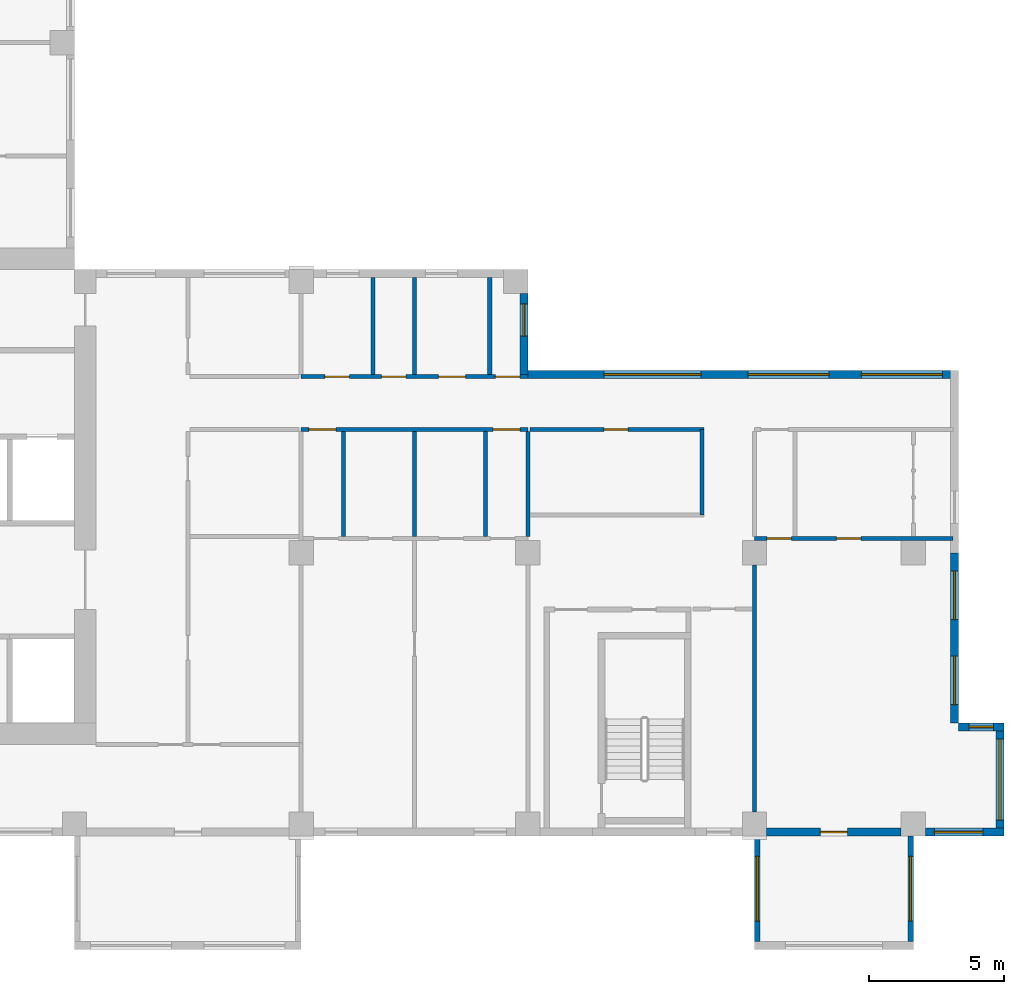
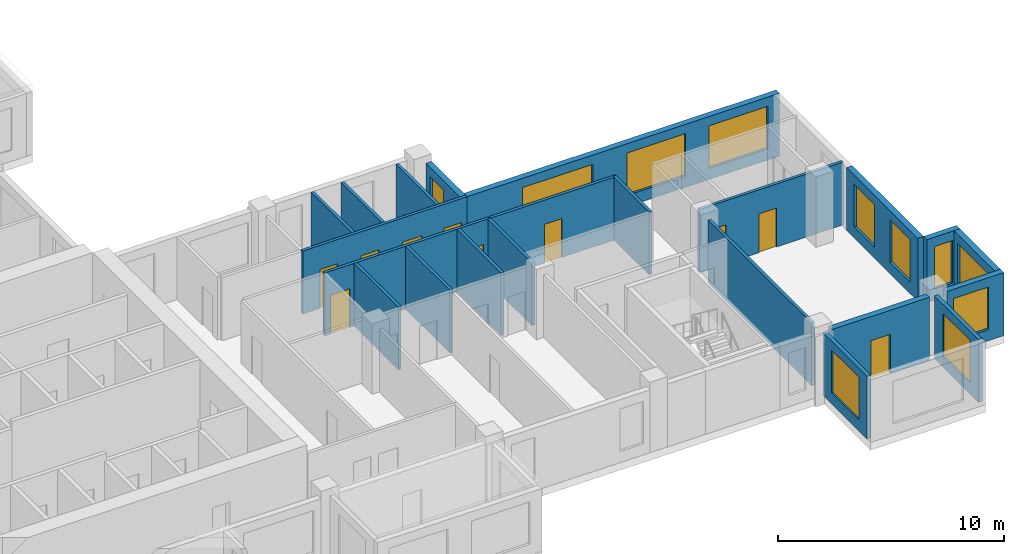
# One storey, part 5 of 12: 22 walls, 11 windows, 10 doors, 21 openings.
"""IFC4 building model written with IfcOpenShell, lengths in metres."""

from ifc_helpers import new_model, si_unit, direction, frame, frame_2d, origin, place, context, subcontext, project, spatial, rectangle, extrude, source, transform, mapped, material, layer, layer_set, type_object, element, fill, save


model = new_model("IFC4")

# Units and contexts
model_context = context("Model", 3, precision=1e-05, world=origin(), true_north=direction((0.0, 1.0)))
body_context = subcontext(model_context, "Body", "Model", "MODEL_VIEW")
ifc_project = project(units=[si_unit("LENGTHUNIT", "METRE"), si_unit("AREAUNIT", "SQUARE_METRE"), si_unit("VOLUMEUNIT", "CUBIC_METRE"), si_unit("PLANEANGLEUNIT", "RADIAN"), si_unit("MASSUNIT", "GRAM", prefix="KILO")], contexts=[model_context])

# Site, building, storey
site_placement = place(None, origin())
site = spatial("IfcSite", under=ifc_project, at=site_placement, CompositionType="ELEMENT")
building_placement = place(site_placement, origin())
building = spatial("IfcBuilding", under=site, at=building_placement, Name="Aurelian Terraces", CompositionType="ELEMENT")
storey_placement = place(building_placement, frame((0.0, 0.0, 223.4)))
storey = spatial("IfcBuildingStorey", under=building, at=storey_placement, Name="L50", CompositionType="ELEMENT", Elevation=223.4)

# Wall, opening, window
ifc_material_1 = material(Name="Terracotta rainscreen cladding", Category="masonry")
ifc_layer_1 = layer(ifc_material_1, 0.3)
ifc_layer_set_1 = layer_set([ifc_layer_1], Name="EW-300")
wall_type_1 = type_object("IfcWallType", Name="EW-300", PredefinedType="STANDARD", material=ifc_layer_set_1)
shared_shape_1 = source(origin(), body_context, "Body", "SweptSolid", [
    extrude(rectangle(XDim=2.91, YDim=0.3, at=frame_2d((1.455, 0.0))), origin(), (0.0, 0.0, 1.0), 3.4),
])
wall_1_placement = place(storey_placement, frame((52.53, 0.15, 0.0), z_axis=(0.0, 0.0, 1.0), x_axis=(1.0, 0.0, 0.0)))
wall_1 = element("IfcWall", 1, at=wall_1_placement, inside=storey, type_object=wall_type_1, Name="External wall L50 F01.8", PredefinedType="STANDARD", context=body_context, shape_type="MappedRepresentation", body=[
    mapped(shared_shape_1, transform((0.0, 0.0, 0.0), scale=1.0)),
])
shared_shape_2 = source(origin(), body_context, "Body", "SweptSolid", [
    extrude(rectangle(XDim=1.8, YDim=2.3, at=frame_2d((0.9, 1.15))), frame((0.0, 0.16, 0.0), z_axis=(0.0, -1.0, 0.0), x_axis=(1.0, 0.0, 0.0)), (0.0, 0.0, 1.0), 0.32),
])
opening_1_placement = place(wall_1_placement, frame((0.33, 0.0, 0.6)))
opening_1 = element("IfcOpeningElement", 2, at=opening_1_placement, cuts=wall_1, Name="Opening W1823", PredefinedType="OPENING", context=body_context, shape_type="MappedRepresentation", body=[
    mapped(shared_shape_2, transform((0.0, 0.0, 0.0), scale=1.0)),
])
ifc_material_2 = material(Name="Clear glazing", Category="glass")
window_type_1 = type_object("IfcWindowType", Name="W-1800x2300", PartitioningType="SINGLE_PANEL", PredefinedType="WINDOW", material=ifc_material_2)
shared_shape_3 = source(origin(), body_context, "Body", "SweptSolid", [
    extrude(rectangle(XDim=1.8, YDim=2.3, at=frame_2d((0.9, 1.15))), frame((0.0, 0.03, 0.0), z_axis=(0.0, -1.0, 0.0), x_axis=(1.0, 0.0, 0.0)), (0.0, 0.0, 1.0), 0.06),
])
window_1_placement = place(opening_1_placement, origin())
window_1 = element("IfcWindow", 3, at=window_1_placement, inside=storey, type_object=window_type_1, Name="Window L50 L50-F01-08-0", OverallHeight=2.3, OverallWidth=1.8, PartitioningType="SINGLE_PANEL", PredefinedType="WINDOW", context=body_context, shape_type="MappedRepresentation", body=[
    mapped(shared_shape_3, transform((0.0, 0.0, 0.0), scale=1.0)),
])
fill(opening_1, window_1)

shared_shape_4 = source(origin(), body_context, "Body", "SweptSolid", [
    extrude(rectangle(XDim=4.2, YDim=0.3, at=frame_2d((2.1, 0.0))), origin(), (0.0, 0.0, 1.0), 3.4),
])
wall_2_placement = place(storey_placement, frame((55.29, 0.0, 0.0), z_axis=(0.0, 0.0, 1.0), x_axis=(0.0, 1.0, 0.0)))
wall_2 = element("IfcWall", 4, at=wall_2_placement, inside=storey, type_object=wall_type_1, Name="External wall L50 F02.9", PredefinedType="STANDARD", context=body_context, shape_type="MappedRepresentation", body=[
    mapped(shared_shape_4, transform((0.0, 0.0, 0.0), scale=1.0)),
])
shared_shape_5 = source(origin(), body_context, "Body", "SweptSolid", [
    extrude(rectangle(XDim=3.0, YDim=2.3, at=frame_2d((1.5, 1.15))), frame((0.0, 0.16, 0.0), z_axis=(0.0, -1.0, 0.0), x_axis=(1.0, 0.0, 0.0)), (0.0, 0.0, 1.0), 0.32),
])
opening_2_placement = place(wall_2_placement, frame((0.6, 0.0, 0.6)))
opening_2 = element("IfcOpeningElement", 5, at=opening_2_placement, cuts=wall_2, Name="Opening W3023", PredefinedType="OPENING", context=body_context, shape_type="MappedRepresentation", body=[
    mapped(shared_shape_5, transform((0.0, 0.0, 0.0), scale=1.0)),
])
window_type_2 = type_object("IfcWindowType", Name="W-3000x2300", PartitioningType="SINGLE_PANEL", PredefinedType="WINDOW", material=ifc_material_2)
shared_shape_6 = source(origin(), body_context, "Body", "SweptSolid", [
    extrude(rectangle(XDim=3.0, YDim=2.3, at=frame_2d((1.5, 1.15))), frame((0.0, 0.03, 0.0), z_axis=(0.0, -1.0, 0.0), x_axis=(1.0, 0.0, 0.0)), (0.0, 0.0, 1.0), 0.06),
])
window_2_placement = place(opening_2_placement, origin())
window_2 = element("IfcWindow", 6, at=window_2_placement, inside=storey, type_object=window_type_2, Name="Window L50 L50-F02-09-0", OverallHeight=2.3, OverallWidth=3.0, PartitioningType="SINGLE_PANEL", PredefinedType="WINDOW", context=body_context, shape_type="MappedRepresentation", body=[
    mapped(shared_shape_6, transform((0.0, 0.0, 0.0), scale=1.0)),
])
fill(opening_2, window_2)

shared_shape_7 = source(origin(), body_context, "Body", "SweptSolid", [
    extrude(rectangle(XDim=1.68, YDim=0.3, at=frame_2d((0.84, 0.0))), origin(), (0.0, 0.0, 1.0), 3.4),
])
wall_3_placement = place(storey_placement, frame((55.44, 4.05, 0.0), z_axis=(0.0, 0.0, 1.0), x_axis=(-1.0, 0.0, 0.0)))
wall_3 = element("IfcWall", 7, at=wall_3_placement, inside=storey, type_object=wall_type_1, Name="External wall L50 F03.10", PredefinedType="STANDARD", context=body_context, shape_type="MappedRepresentation", body=[
    mapped(shared_shape_7, transform((0.0, 0.0, 0.0), scale=1.0)),
])
shared_shape_8 = source(origin(), body_context, "Body", "SweptSolid", [
    extrude(rectangle(XDim=0.9, YDim=2.3, at=frame_2d((0.45, 1.15))), frame((0.0, 0.16, 0.0), z_axis=(0.0, -1.0, 0.0), x_axis=(1.0, 0.0, 0.0)), (0.0, 0.0, 1.0), 0.32),
])
opening_3_placement = place(wall_3_placement, frame((0.39, 0.0, 0.6)))
opening_3 = element("IfcOpeningElement", 8, at=opening_3_placement, cuts=wall_3, Name="Opening W0923", PredefinedType="OPENING", context=body_context, shape_type="MappedRepresentation", body=[
    mapped(shared_shape_8, transform((0.0, 0.0, 0.0), scale=1.0)),
])
window_type_3 = type_object("IfcWindowType", Name="W-900x2300", PartitioningType="SINGLE_PANEL", PredefinedType="WINDOW", material=ifc_material_2)
shared_shape_9 = source(origin(), body_context, "Body", "SweptSolid", [
    extrude(rectangle(XDim=0.9, YDim=2.3, at=frame_2d((0.45, 1.15))), frame((0.0, 0.03, 0.0), z_axis=(0.0, -1.0, 0.0), x_axis=(1.0, 0.0, 0.0)), (0.0, 0.0, 1.0), 0.06),
])
window_3_placement = place(opening_3_placement, origin())
window_3 = element("IfcWindow", 9, at=window_3_placement, inside=storey, type_object=window_type_3, Name="Window L50 L50-F03-10-P0", OverallHeight=2.3, OverallWidth=0.9, PartitioningType="SINGLE_PANEL", PredefinedType="WINDOW", context=body_context, shape_type="MappedRepresentation", body=[
    mapped(shared_shape_9, transform((0.0, 0.0, 0.0), scale=1.0)),
])
fill(opening_3, window_3)

ifc_material_3 = material(Name="Concrete fc' 40 MPa", Category="concrete")
ifc_layer_2 = layer(ifc_material_3, 0.2)
ifc_layer_set_2 = layer_set([ifc_layer_2], Name="BOX BEARING WALL 200")
wall_type_2 = type_object("IfcWallType", Name="BOX BEARING WALL 200", PredefinedType="SOLIDWALL", material=ifc_layer_set_2)
shared_shape_10 = source(origin(), body_context, "Body", "SweptSolid", [
    extrude(rectangle(XDim=3.9, YDim=0.2, at=frame_2d((1.95, 0.0))), origin(), (0.0, 0.0, 1.0), 3.39),
])
wall_4_placement = place(storey_placement, frame((46.3, 0.0, 0.0), z_axis=(0.0, 0.0, 1.0), x_axis=(0.0, -1.0, 0.0)))
wall_4 = element("IfcWall", 10, at=wall_4_placement, inside=storey, type_object=wall_type_2, Name="Box return L50 J74.1", PredefinedType="SOLIDWALL", context=body_context, shape_type="MappedRepresentation", body=[
    mapped(shared_shape_10, transform((0.0, 0.0, 0.0), scale=1.0)),
])
shared_shape_11 = source(origin(), body_context, "Body", "SweptSolid", [
    extrude(rectangle(XDim=2.4, YDim=2.3, at=frame_2d((1.2, 1.15))), frame((0.0, 0.11, 0.0), z_axis=(0.0, -1.0, 0.0), x_axis=(1.0, 0.0, 0.0)), (0.0, 0.0, 1.0), 0.22),
])
opening_4_placement = place(wall_4_placement, frame((0.75, 0.0, 0.6)))
opening_4 = element("IfcOpeningElement", 11, at=opening_4_placement, cuts=wall_4, Name="Opening W2423", PredefinedType="OPENING", context=body_context, shape_type="MappedRepresentation", body=[
    mapped(shared_shape_11, transform((0.0, 0.0, 0.0), scale=1.0)),
])
window_type_4 = type_object("IfcWindowType", Name="W-2400x2300", PartitioningType="SINGLE_PANEL", PredefinedType="WINDOW", material=ifc_material_2)
shared_shape_12 = source(origin(), body_context, "Body", "SweptSolid", [
    extrude(rectangle(XDim=2.4, YDim=2.3, at=frame_2d((1.2, 1.15))), frame((0.0, 0.03, 0.0), z_axis=(0.0, -1.0, 0.0), x_axis=(1.0, 0.0, 0.0)), (0.0, 0.0, 1.0), 0.06),
])
window_4_placement = place(opening_4_placement, origin())
window_4 = element("IfcWindow", 12, at=window_4_placement, inside=storey, type_object=window_type_4, Name="Window L50 J74-S1", OverallHeight=2.3, OverallWidth=2.4, PartitioningType="SINGLE_PANEL", PredefinedType="WINDOW", context=body_context, shape_type="MappedRepresentation", body=[
    mapped(shared_shape_12, transform((0.0, 0.0, 0.0), scale=1.0)),
])
fill(opening_4, window_4)

wall_5_placement = place(storey_placement, frame((51.98, 0.0, 0.0), z_axis=(0.0, 0.0, 1.0), x_axis=(0.0, -1.0, 0.0)))
wall_5 = element("IfcWall", 13, at=wall_5_placement, inside=storey, type_object=wall_type_2, Name="Box return L50 J74.2", PredefinedType="SOLIDWALL", context=body_context, shape_type="MappedRepresentation", body=[
    mapped(shared_shape_10, transform((0.0, 0.0, 0.0), scale=1.0)),
])
opening_5_placement = place(wall_5_placement, frame((0.75, 0.0, 0.6)))
opening_5 = element("IfcOpeningElement", 14, at=opening_5_placement, cuts=wall_5, Name="Opening W2423", PredefinedType="OPENING", context=body_context, shape_type="MappedRepresentation", body=[
    mapped(shared_shape_11, transform((0.0, 0.0, 0.0), scale=1.0)),
])
window_5_placement = place(opening_5_placement, origin())
window_5 = element("IfcWindow", 15, at=window_5_placement, inside=storey, type_object=window_type_4, Name="Window L50 J74-S2", OverallHeight=2.3, OverallWidth=2.4, PartitioningType="SINGLE_PANEL", PredefinedType="WINDOW", context=body_context, shape_type="MappedRepresentation", body=[
    mapped(shared_shape_12, transform((0.0, 0.0, 0.0), scale=1.0)),
])
fill(opening_5, window_5)

# Wall, opening, door
shared_shape_13 = source(origin(), body_context, "Body", "SweptSolid", [
    extrude(rectangle(XDim=4.98, YDim=0.3, at=frame_2d((2.49, 0.0))), origin(), (0.0, 0.0, 1.0), 3.4),
])
wall_6_placement = place(storey_placement, frame((46.65, 0.15, 0.0), z_axis=(0.0, 0.0, 1.0), x_axis=(1.0, 0.0, 0.0)))
wall_6 = element("IfcWall", 16, at=wall_6_placement, inside=storey, type_object=wall_type_1, Name="External wall L50 F01.7", PredefinedType="STANDARD", context=body_context, shape_type="MappedRepresentation", body=[
    mapped(shared_shape_13, transform((0.0, 0.0, 0.0), scale=1.0)),
])
shared_shape_14 = source(origin(), body_context, "Body", "SweptSolid", [
    extrude(rectangle(XDim=1.0, YDim=2.1, at=frame_2d((0.5, 1.05))), frame((0.0, 0.16, 0.0), z_axis=(0.0, -1.0, 0.0), x_axis=(1.0, 0.0, 0.0)), (0.0, 0.0, 1.0), 0.32),
])
opening_6_placement = place(wall_6_placement, frame((1.99, 0.0, 0.0)))
opening_6 = element("IfcOpeningElement", 17, at=opening_6_placement, cuts=wall_6, Name="Opening 850005", PredefinedType="OPENING", context=body_context, shape_type="MappedRepresentation", body=[
    mapped(shared_shape_14, transform((0.0, 0.0, 0.0), scale=1.0)),
])
ifc_material_4 = material(Name="Timber door leaf", Category="wood")
door_type_1 = type_object("IfcDoorType", Name="Room door 1000x2100 left", OperationType="SINGLE_SWING_LEFT", PredefinedType="DOOR", material=ifc_material_4)
shared_shape_15 = source(origin(), body_context, "Body", "SweptSolid", [
    extrude(rectangle(XDim=1.0, YDim=2.1, at=frame_2d((0.5, 1.05))), frame((0.0, 0.025, 0.0), z_axis=(0.0, -1.0, 0.0), x_axis=(1.0, 0.0, 0.0)), (0.0, 0.0, 1.0), 0.05),
])
door_1_placement = place(opening_6_placement, origin())
door_1 = element("IfcDoor", 18, at=door_1_placement, inside=storey, type_object=door_type_1, Name="Door 850005", OperationType="SINGLE_SWING_LEFT", OverallHeight=2.1, OverallWidth=1.0, PredefinedType="DOOR", context=body_context, shape_type="MappedRepresentation", body=[
    mapped(shared_shape_15, transform((0.0, 0.0, 0.0), scale=1.0)),
])
fill(opening_6, door_1)

# Wall, openings, windows
shared_shape_16 = source(origin(), body_context, "Body", "SweptSolid", [
    extrude(rectangle(XDim=6.3, YDim=0.3, at=frame_2d((3.15, 0.0))), origin(), (0.0, 0.0, 1.0), 3.4),
])
wall_7_placement = place(storey_placement, frame((53.61, 4.2, 0.0), z_axis=(0.0, 0.0, 1.0), x_axis=(0.0, 1.0, 0.0)))
wall_7 = element("IfcWall", 19, at=wall_7_placement, inside=storey, type_object=wall_type_1, Name="External wall L50 F04.11", PredefinedType="STANDARD", context=body_context, shape_type="MappedRepresentation", body=[
    mapped(shared_shape_16, transform((0.0, 0.0, 0.0), scale=1.0)),
])
opening_7_placement = place(wall_7_placement, frame((0.675, 0.0, 0.6)))
opening_7 = element("IfcOpeningElement", 20, at=opening_7_placement, cuts=wall_7, Name="Opening W1823", PredefinedType="OPENING", context=body_context, shape_type="MappedRepresentation", body=[
    mapped(shared_shape_2, transform((0.0, 0.0, 0.0), scale=1.0)),
])
opening_8_placement = place(wall_7_placement, frame((3.825, 0.0, 0.6)))
opening_8 = element("IfcOpeningElement", 21, at=opening_8_placement, cuts=wall_7, Name="Opening W1823", PredefinedType="OPENING", context=body_context, shape_type="MappedRepresentation", body=[
    mapped(shared_shape_2, transform((0.0, 0.0, 0.0), scale=1.0)),
])
window_6_placement = place(opening_7_placement, origin())
window_6 = element("IfcWindow", 22, at=window_6_placement, inside=storey, type_object=window_type_1, Name="Window L50 L50-F04-11-0", OverallHeight=2.3, OverallWidth=1.8, PartitioningType="SINGLE_PANEL", PredefinedType="WINDOW", context=body_context, shape_type="MappedRepresentation", body=[
    mapped(shared_shape_3, transform((0.0, 0.0, 0.0), scale=1.0)),
])
fill(opening_7, window_6)
window_7_placement = place(opening_8_placement, origin())
window_7 = element("IfcWindow", 23, at=window_7_placement, inside=storey, type_object=window_type_1, Name="Window L50 L50-F04-11-1", OverallHeight=2.3, OverallWidth=1.8, PartitioningType="SINGLE_PANEL", PredefinedType="WINDOW", context=body_context, shape_type="MappedRepresentation", body=[
    mapped(shared_shape_3, transform((0.0, 0.0, 0.0), scale=1.0)),
])
fill(opening_8, window_7)

# Wall, opening, window
shared_shape_17 = source(origin(), body_context, "Body", "SweptSolid", [
    extrude(rectangle(XDim=3.0, YDim=0.3, at=frame_2d((1.5, 0.0))), origin(), (0.0, 0.0, 1.0), 3.4),
])
wall_8_placement = place(storey_placement, frame((37.65, 17.1, 0.0), z_axis=(0.0, 0.0, 1.0), x_axis=(0.0, 1.0, 0.0)))
wall_8 = element("IfcWall", 24, at=wall_8_placement, inside=storey, type_object=wall_type_1, Name="External wall L50 F06.14", PredefinedType="STANDARD", context=body_context, shape_type="MappedRepresentation", body=[
    mapped(shared_shape_17, transform((0.0, 0.0, 0.0), scale=1.0)),
])
shared_shape_18 = source(origin(), body_context, "Body", "SweptSolid", [
    extrude(rectangle(XDim=1.2, YDim=2.3, at=frame_2d((0.6, 1.15))), frame((0.0, 0.16, 0.0), z_axis=(0.0, -1.0, 0.0), x_axis=(1.0, 0.0, 0.0)), (0.0, 0.0, 1.0), 0.32),
])
opening_9_placement = place(wall_8_placement, frame((1.425, 0.0, 0.6)))
opening_9 = element("IfcOpeningElement", 25, at=opening_9_placement, cuts=wall_8, Name="Opening W1223", PredefinedType="OPENING", context=body_context, shape_type="MappedRepresentation", body=[
    mapped(shared_shape_18, transform((0.0, 0.0, 0.0), scale=1.0)),
])
window_type_5 = type_object("IfcWindowType", Name="W-1200x2300", PartitioningType="SINGLE_PANEL", PredefinedType="WINDOW", material=ifc_material_2)
shared_shape_19 = source(origin(), body_context, "Body", "SweptSolid", [
    extrude(rectangle(XDim=1.2, YDim=2.3, at=frame_2d((0.6, 1.15))), frame((0.0, 0.03, 0.0), z_axis=(0.0, -1.0, 0.0), x_axis=(1.0, 0.0, 0.0)), (0.0, 0.0, 1.0), 0.06),
])
window_8_placement = place(opening_9_placement, origin())
window_8 = element("IfcWindow", 26, at=window_8_placement, inside=storey, type_object=window_type_5, Name="Window L50 L50-F06-14-0", OverallHeight=2.3, OverallWidth=1.2, PartitioningType="SINGLE_PANEL", PredefinedType="WINDOW", context=body_context, shape_type="MappedRepresentation", body=[
    mapped(shared_shape_19, transform((0.0, 0.0, 0.0), scale=1.0)),
])
fill(opening_9, window_8)

# Wall, openings, windows
shared_shape_20 = source(origin(), body_context, "Body", "SweptSolid", [
    extrude(rectangle(XDim=15.96, YDim=0.3, at=frame_2d((7.98, 0.0))), origin(), (0.0, 0.0, 1.0), 3.4),
])
wall_9_placement = place(storey_placement, frame((53.76, 17.1, 0.0), z_axis=(0.0, 0.0, 1.0), x_axis=(-1.0, 0.0, 0.0)))
wall_9 = element("IfcWall", 27, at=wall_9_placement, inside=storey, type_object=wall_type_1, Name="External wall L50 F05.13", PredefinedType="STANDARD", context=body_context, shape_type="MappedRepresentation", body=[
    mapped(shared_shape_20, transform((0.0, 0.0, 0.0), scale=1.0)),
])
opening_10_placement = place(wall_9_placement, frame((0.6, 0.0, 0.6)))
opening_10 = element("IfcOpeningElement", 28, at=opening_10_placement, cuts=wall_9, Name="Opening W3023", PredefinedType="OPENING", context=body_context, shape_type="MappedRepresentation", body=[
    mapped(shared_shape_5, transform((0.0, 0.0, 0.0), scale=1.0)),
])
opening_11_placement = place(wall_9_placement, frame((4.8, 0.0, 0.6)))
opening_11 = element("IfcOpeningElement", 29, at=opening_11_placement, cuts=wall_9, Name="Opening W3023", PredefinedType="OPENING", context=body_context, shape_type="MappedRepresentation", body=[
    mapped(shared_shape_5, transform((0.0, 0.0, 0.0), scale=1.0)),
])
shared_shape_21 = source(origin(), body_context, "Body", "SweptSolid", [
    extrude(rectangle(XDim=3.6, YDim=2.3, at=frame_2d((1.8, 1.15))), frame((0.0, 0.16, 0.0), z_axis=(0.0, -1.0, 0.0), x_axis=(1.0, 0.0, 0.0)), (0.0, 0.0, 1.0), 0.32),
])
opening_12_placement = place(wall_9_placement, frame((9.54, 0.0, 0.6)))
opening_12 = element("IfcOpeningElement", 30, at=opening_12_placement, cuts=wall_9, Name="Opening W3623", PredefinedType="OPENING", context=body_context, shape_type="MappedRepresentation", body=[
    mapped(shared_shape_21, transform((0.0, 0.0, 0.0), scale=1.0)),
])
window_type_6 = type_object("IfcWindowType", Name="W-3600x2300", PartitioningType="SINGLE_PANEL", PredefinedType="WINDOW", material=ifc_material_2)
shared_shape_22 = source(origin(), body_context, "Body", "SweptSolid", [
    extrude(rectangle(XDim=3.6, YDim=2.3, at=frame_2d((1.8, 1.15))), frame((0.0, 0.03, 0.0), z_axis=(0.0, -1.0, 0.0), x_axis=(1.0, 0.0, 0.0)), (0.0, 0.0, 1.0), 0.06),
])
window_9_placement = place(opening_12_placement, origin())
window_9 = element("IfcWindow", 31, at=window_9_placement, inside=storey, type_object=window_type_6, Name="Window L50 L50-F05-13-2", OverallHeight=2.3, OverallWidth=3.6, PartitioningType="SINGLE_PANEL", PredefinedType="WINDOW", context=body_context, shape_type="MappedRepresentation", body=[
    mapped(shared_shape_22, transform((0.0, 0.0, 0.0), scale=1.0)),
])
fill(opening_12, window_9)
window_10_placement = place(opening_10_placement, origin())
window_10 = element("IfcWindow", 32, at=window_10_placement, inside=storey, type_object=window_type_2, Name="Window L50 L50-F05-13-0", OverallHeight=2.3, OverallWidth=3.0, PartitioningType="SINGLE_PANEL", PredefinedType="WINDOW", context=body_context, shape_type="MappedRepresentation", body=[
    mapped(shared_shape_6, transform((0.0, 0.0, 0.0), scale=1.0)),
])
fill(opening_10, window_10)
window_11_placement = place(opening_11_placement, origin())
window_11 = element("IfcWindow", 33, at=window_11_placement, inside=storey, type_object=window_type_2, Name="Window L50 L50-F05-13-1", OverallHeight=2.3, OverallWidth=3.0, PartitioningType="SINGLE_PANEL", PredefinedType="WINDOW", context=body_context, shape_type="MappedRepresentation", body=[
    mapped(shared_shape_6, transform((0.0, 0.0, 0.0), scale=1.0)),
])
fill(opening_11, window_11)

# Wall, opening, door
ifc_material_5 = material(Name="Gypsum board on steel studs", Category="steel")
ifc_layer_3 = layer(ifc_material_5, 0.15)
ifc_layer_set_3 = layer_set([ifc_layer_3], Name="Fire partition 150")
wall_type_3 = type_object("IfcWallType", Name="Fire partition 150", PredefinedType="PARTITIONING", material=ifc_layer_set_3)
shared_shape_23 = source(origin(), body_context, "Body", "SweptSolid", [
    extrude(rectangle(XDim=6.45, YDim=0.15, at=frame_2d((3.225, 0.0))), origin(), (0.0, 0.0, 1.0), 3.4),
])
wall_10_placement = place(storey_placement, frame((44.325, 15.075, 0.0), z_axis=(0.0, 0.0, 1.0), x_axis=(-1.0, 0.0, 0.0)))
wall_10 = element("IfcWall", 34, at=wall_10_placement, inside=storey, type_object=wall_type_3, Name="Corridor wall", PredefinedType="PARTITIONING", context=body_context, shape_type="MappedRepresentation", body=[
    mapped(shared_shape_23, transform((0.0, 0.0, 0.0), scale=1.0)),
])
shared_shape_24 = source(origin(), body_context, "Body", "SweptSolid", [
    extrude(rectangle(XDim=0.9, YDim=2.1, at=frame_2d((0.45, 1.05))), frame((0.0, 0.085, 0.0), z_axis=(0.0, -1.0, 0.0), x_axis=(1.0, 0.0, 0.0)), (0.0, 0.0, 1.0), 0.17),
])
opening_13_placement = place(wall_10_placement, frame((2.8125, 0.0, 0.0)))
opening_13 = element("IfcOpeningElement", 35, at=opening_13_placement, cuts=wall_10, Name="Opening 750005", PredefinedType="OPENING", context=body_context, shape_type="MappedRepresentation", body=[
    mapped(shared_shape_24, transform((0.0, 0.0, 0.0), scale=1.0)),
])
door_type_2 = type_object("IfcDoorType", Name="Room door 900x2100 right", OperationType="SINGLE_SWING_RIGHT", PredefinedType="DOOR", material=ifc_material_4)
shared_shape_25 = source(origin(), body_context, "Body", "SweptSolid", [
    extrude(rectangle(XDim=0.9, YDim=2.1, at=frame_2d((0.45, 1.05))), frame((0.0, 0.025, 0.0), z_axis=(0.0, -1.0, 0.0), x_axis=(1.0, 0.0, 0.0)), (0.0, 0.0, 1.0), 0.05),
])
door_2_placement = place(opening_13_placement, origin())
door_2 = element("IfcDoor", 36, at=door_2_placement, inside=storey, type_object=door_type_2, Name="Door 750005", OperationType="SINGLE_SWING_RIGHT", OverallHeight=2.1, OverallWidth=0.9, PredefinedType="DOOR", context=body_context, shape_type="MappedRepresentation", body=[
    mapped(shared_shape_25, transform((0.0, 0.0, 0.0), scale=1.0)),
])
fill(opening_13, door_2)

# Walls
ifc_layer_4 = layer(ifc_material_5, 0.15)
ifc_layer_set_4 = layer_set([ifc_layer_4], Name="Partition 150")
wall_type_4 = type_object("IfcWallType", Name="Partition 150", PredefinedType="PARTITIONING", material=ifc_layer_set_4)
shared_shape_26 = source(origin(), body_context, "Body", "SweptSolid", [
    extrude(rectangle(XDim=3.9, YDim=0.15, at=frame_2d((1.95, 0.0))), origin(), (0.0, 0.0, 1.0), 3.4),
])
for number, where, z_axis, x_axis, name in (
    (37, (30.975, 11.1, 0.0), (0.0, 0.0, 1.0), (0.0, 1.0, 0.0), "Partition"),
    (38, (33.6, 11.1, 0.0), (0.0, 0.0, 1.0), (0.0, 1.0, 0.0), "Partition"),
    (39, (36.225, 11.1, 0.0), (0.0, 0.0, 1.0), (0.0, 1.0, 0.0), "Partition"),
):
    element("IfcWall", number, at=place(storey_placement, frame(where, z_axis=z_axis, x_axis=x_axis)), inside=storey, type_object=wall_type_4, Name=name, PredefinedType="PARTITIONING", context=body_context, shape_type="MappedRepresentation", body=[
        mapped(shared_shape_26, transform((0.0, 0.0, 0.0), scale=1.0)),
    ])
wall_11_placement = place(storey_placement, frame((37.8, 11.1, 0.0), z_axis=(0.0, 0.0, 1.0), x_axis=(0.0, 1.0, 0.0)))
element("IfcWall", 40, at=wall_11_placement, inside=storey, type_object=wall_type_3, Name="Party wall", PredefinedType="PARTITIONING", context=body_context, shape_type="MappedRepresentation", body=[
    mapped(shared_shape_26, transform((0.0, 0.0, 0.0), scale=1.0)),
])
shared_shape_27 = source(origin(), body_context, "Body", "SweptSolid", [
    extrude(rectangle(XDim=9.152, YDim=0.15, at=frame_2d((4.576, 0.0))), origin(), (0.0, 0.0, 1.0), 3.4),
])
wall_12_placement = place(storey_placement, frame((46.2, 0.899, 0.0), z_axis=(0.0, 0.0, 1.0), x_axis=(0.0, 1.0, 0.0)))
element("IfcWall", 41, at=wall_12_placement, inside=storey, type_object=wall_type_3, Name="Party wall", PredefinedType="PARTITIONING", context=body_context, shape_type="MappedRepresentation", body=[
    mapped(shared_shape_27, transform((0.0, 0.0, 0.0), scale=1.0)),
])
shared_shape_28 = source(origin(), body_context, "Body", "SweptSolid", [
    extrude(rectangle(XDim=3.6, YDim=0.15, at=frame_2d((1.8, 0.0))), origin(), (0.0, 0.0, 1.0), 3.4),
])
for number, where, z_axis, x_axis, name in (
    (42, (32.067, 20.7, 0.0), (0.0, 0.0, 1.0), (0.0, -1.0, 0.0), "Partition"),
    (43, (36.3885, 20.7, 0.0), (0.0, 0.0, 1.0), (0.0, -1.0, 0.0), "Partition"),
):
    element("IfcWall", number, at=place(storey_placement, frame(where, z_axis=z_axis, x_axis=x_axis)), inside=storey, type_object=wall_type_4, Name=name, PredefinedType="PARTITIONING", context=body_context, shape_type="MappedRepresentation", body=[
        mapped(shared_shape_28, transform((0.0, 0.0, 0.0), scale=1.0)),
    ])
wall_13_placement = place(storey_placement, frame((33.6, 17.1, 0.0), z_axis=(0.0, 0.0, 1.0), x_axis=(0.0, 1.0, 0.0)))
element("IfcWall", 44, at=wall_13_placement, inside=storey, type_object=wall_type_3, Name="Party wall", PredefinedType="PARTITIONING", context=body_context, shape_type="MappedRepresentation", body=[
    mapped(shared_shape_28, transform((0.0, 0.0, 0.0), scale=1.0)),
])

# Wall, openings, doors
shared_shape_29 = source(origin(), body_context, "Body", "SweptSolid", [
    extrude(rectangle(XDim=8.4, YDim=0.15, at=frame_2d((4.2, 0.0))), origin(), (0.0, 0.0, 1.0), 3.4),
])
wall_14_placement = place(storey_placement, frame((37.8, 15.075, 0.0), z_axis=(0.0, 0.0, 1.0), x_axis=(-1.0, 0.0, 0.0)))
wall_14 = element("IfcWall", 45, at=wall_14_placement, inside=storey, type_object=wall_type_3, Name="Corridor wall", PredefinedType="PARTITIONING", context=body_context, shape_type="MappedRepresentation", body=[
    mapped(shared_shape_29, transform((0.0, 0.0, 0.0), scale=1.0)),
])
shared_shape_30 = source(origin(), body_context, "Body", "SweptSolid", [
    extrude(rectangle(XDim=1.0, YDim=2.1, at=frame_2d((0.5, 1.05))), frame((0.0, 0.085, 0.0), z_axis=(0.0, -1.0, 0.0), x_axis=(1.0, 0.0, 0.0)), (0.0, 0.0, 1.0), 0.17),
])
opening_14_placement = place(wall_14_placement, frame((7.1125, 0.0, 0.0)))
opening_14 = element("IfcOpeningElement", 46, at=opening_14_placement, cuts=wall_14, Name="Opening 750007", PredefinedType="OPENING", context=body_context, shape_type="MappedRepresentation", body=[
    mapped(shared_shape_30, transform((0.0, 0.0, 0.0), scale=1.0)),
])
opening_15_placement = place(wall_14_placement, frame((0.2875, 0.0, 0.0)))
opening_15 = element("IfcOpeningElement", 47, at=opening_15_placement, cuts=wall_14, Name="Opening 750011", PredefinedType="OPENING", context=body_context, shape_type="MappedRepresentation", body=[
    mapped(shared_shape_30, transform((0.0, 0.0, 0.0), scale=1.0)),
])
ifc_material_6 = material(Name="Steel door leaf", Category="steel")
door_type_3 = type_object("IfcDoorType", Name="Entrance fire door 1000x2100 left", OperationType="SINGLE_SWING_LEFT", PredefinedType="DOOR", material=ifc_material_6)
door_3_placement = place(opening_14_placement, origin())
door_3 = element("IfcDoor", 48, at=door_3_placement, inside=storey, type_object=door_type_3, Name="Door 750007", OperationType="SINGLE_SWING_LEFT", OverallHeight=2.1, OverallWidth=1.0, PredefinedType="DOOR", context=body_context, shape_type="MappedRepresentation", body=[
    mapped(shared_shape_15, transform((0.0, 0.0, 0.0), scale=1.0)),
])
fill(opening_14, door_3)
door_4_placement = place(opening_15_placement, origin())
door_4 = element("IfcDoor", 49, at=door_4_placement, inside=storey, type_object=door_type_3, Name="Door 750011", OperationType="SINGLE_SWING_LEFT", OverallHeight=2.1, OverallWidth=1.0, PredefinedType="DOOR", context=body_context, shape_type="MappedRepresentation", body=[
    mapped(shared_shape_15, transform((0.0, 0.0, 0.0), scale=1.0)),
])
fill(opening_15, door_4)

wall_15_placement = place(storey_placement, frame((29.4, 17.025, 0.0), z_axis=(0.0, 0.0, 1.0), x_axis=(1.0, 0.0, 0.0)))
wall_15 = element("IfcWall", 50, at=wall_15_placement, inside=storey, type_object=wall_type_3, Name="Corridor wall", PredefinedType="PARTITIONING", context=body_context, shape_type="MappedRepresentation", body=[
    mapped(shared_shape_29, transform((0.0, 0.0, 0.0), scale=1.0)),
])
opening_16_placement = place(wall_15_placement, frame((0.8835, 0.0, 0.0)))
opening_16 = element("IfcOpeningElement", 51, at=opening_16_placement, cuts=wall_15, Name="Opening 750017", PredefinedType="OPENING", context=body_context, shape_type="MappedRepresentation", body=[
    mapped(shared_shape_24, transform((0.0, 0.0, 0.0), scale=1.0)),
])
opening_17_placement = place(wall_15_placement, frame((2.9835, 0.0, 0.0)))
opening_17 = element("IfcOpeningElement", 52, at=opening_17_placement, cuts=wall_15, Name="Opening 750018", PredefinedType="OPENING", context=body_context, shape_type="MappedRepresentation", body=[
    mapped(shared_shape_24, transform((0.0, 0.0, 0.0), scale=1.0)),
])
opening_18_placement = place(wall_15_placement, frame((5.0942, 0.0, 0.0)))
opening_18 = element("IfcOpeningElement", 53, at=opening_18_placement, cuts=wall_15, Name="Opening 750019", PredefinedType="OPENING", context=body_context, shape_type="MappedRepresentation", body=[
    mapped(shared_shape_30, transform((0.0, 0.0, 0.0), scale=1.0)),
])
opening_19_placement = place(wall_15_placement, frame((7.2, 0.0, 0.0)))
opening_19 = element("IfcOpeningElement", 54, at=opening_19_placement, cuts=wall_15, Name="Opening 750020", PredefinedType="OPENING", context=body_context, shape_type="MappedRepresentation", body=[
    mapped(shared_shape_24, transform((0.0, 0.0, 0.0), scale=1.0)),
])
door_5_placement = place(opening_18_placement, origin())
door_5 = element("IfcDoor", 55, at=door_5_placement, inside=storey, type_object=door_type_3, Name="Door 750019", OperationType="SINGLE_SWING_LEFT", OverallHeight=2.1, OverallWidth=1.0, PredefinedType="DOOR", context=body_context, shape_type="MappedRepresentation", body=[
    mapped(shared_shape_15, transform((0.0, 0.0, 0.0), scale=1.0)),
])
fill(opening_18, door_5)
door_type_4 = type_object("IfcDoorType", Name="Entrance fire door 900x2100 left", OperationType="SINGLE_SWING_LEFT", PredefinedType="DOOR", material=ifc_material_6)
door_6_placement = place(opening_16_placement, origin())
door_6 = element("IfcDoor", 56, at=door_6_placement, inside=storey, type_object=door_type_4, Name="Door 750017", OperationType="SINGLE_SWING_LEFT", OverallHeight=2.1, OverallWidth=0.9, PredefinedType="DOOR", context=body_context, shape_type="MappedRepresentation", body=[
    mapped(shared_shape_25, transform((0.0, 0.0, 0.0), scale=1.0)),
])
fill(opening_16, door_6)
door_type_5 = type_object("IfcDoorType", Name="Entrance fire door 900x2100 right", OperationType="SINGLE_SWING_RIGHT", PredefinedType="DOOR", material=ifc_material_6)
door_7_placement = place(opening_17_placement, origin())
door_7 = element("IfcDoor", 57, at=door_7_placement, inside=storey, type_object=door_type_5, Name="Door 750018", OperationType="SINGLE_SWING_RIGHT", OverallHeight=2.1, OverallWidth=0.9, PredefinedType="DOOR", context=body_context, shape_type="MappedRepresentation", body=[
    mapped(shared_shape_25, transform((0.0, 0.0, 0.0), scale=1.0)),
])
fill(opening_17, door_7)
door_8_placement = place(opening_19_placement, origin())
door_8 = element("IfcDoor", 58, at=door_8_placement, inside=storey, type_object=door_type_5, Name="Door 750020", OperationType="SINGLE_SWING_RIGHT", OverallHeight=2.1, OverallWidth=0.9, PredefinedType="DOOR", context=body_context, shape_type="MappedRepresentation", body=[
    mapped(shared_shape_25, transform((0.0, 0.0, 0.0), scale=1.0)),
])
fill(opening_19, door_8)

# Wall
shared_shape_31 = source(origin(), body_context, "Body", "SweptSolid", [
    extrude(rectangle(XDim=3.175, YDim=0.15, at=frame_2d((1.5875, 0.0))), origin(), (0.0, 0.0, 1.0), 3.4),
])
wall_16_placement = place(storey_placement, frame((44.25, 11.9, 0.0), z_axis=(0.0, 0.0, 1.0), x_axis=(0.0, 1.0, 0.0)))
element("IfcWall", 59, at=wall_16_placement, inside=storey, type_object=wall_type_4, Name="Partition", PredefinedType="PARTITIONING", context=body_context, shape_type="MappedRepresentation", body=[
    mapped(shared_shape_31, transform((0.0, 0.0, 0.0), scale=1.0)),
])

# Wall, openings, doors
shared_shape_32 = source(origin(), body_context, "Body", "SweptSolid", [
    extrude(rectangle(XDim=7.355, YDim=0.15, at=frame_2d((3.6775, 0.0))), origin(), (0.0, 0.0, 1.0), 3.4),
])
wall_17_placement = place(storey_placement, frame((53.555, 11.025, 0.0), z_axis=(0.0, 0.0, 1.0), x_axis=(-1.0, 0.0, 0.0)))
wall_17 = element("IfcWall", 60, at=wall_17_placement, inside=storey, type_object=wall_type_4, Name="Partition", PredefinedType="PARTITIONING", context=body_context, shape_type="MappedRepresentation", body=[
    mapped(shared_shape_32, transform((0.0, 0.0, 0.0), scale=1.0)),
])
opening_20_placement = place(wall_17_placement, frame((5.991, 0.0, 0.0)))
opening_20 = element("IfcOpeningElement", 61, at=opening_20_placement, cuts=wall_17, Name="Opening 750015", PredefinedType="OPENING", context=body_context, shape_type="MappedRepresentation", body=[
    mapped(shared_shape_24, transform((0.0, 0.0, 0.0), scale=1.0)),
])
opening_21_placement = place(wall_17_placement, frame((3.4149, 0.0, 0.0)))
opening_21 = element("IfcOpeningElement", 62, at=opening_21_placement, cuts=wall_17, Name="Opening 750016", PredefinedType="OPENING", context=body_context, shape_type="MappedRepresentation", body=[
    mapped(shared_shape_24, transform((0.0, 0.0, 0.0), scale=1.0)),
])
door_9_placement = place(opening_20_placement, origin())
door_9 = element("IfcDoor", 63, at=door_9_placement, inside=storey, type_object=door_type_2, Name="Door 750015", OperationType="SINGLE_SWING_RIGHT", OverallHeight=2.1, OverallWidth=0.9, PredefinedType="DOOR", context=body_context, shape_type="MappedRepresentation", body=[
    mapped(shared_shape_25, transform((0.0, 0.0, 0.0), scale=1.0)),
])
fill(opening_20, door_9)
door_type_6 = type_object("IfcDoorType", Name="Room door 900x2100 left", OperationType="SINGLE_SWING_LEFT", PredefinedType="DOOR", material=ifc_material_4)
door_10_placement = place(opening_21_placement, origin())
door_10 = element("IfcDoor", 64, at=door_10_placement, inside=storey, type_object=door_type_6, Name="Door 750016", OperationType="SINGLE_SWING_LEFT", OverallHeight=2.1, OverallWidth=0.9, PredefinedType="DOOR", context=body_context, shape_type="MappedRepresentation", body=[
    mapped(shared_shape_25, transform((0.0, 0.0, 0.0), scale=1.0)),
])
fill(opening_21, door_10)

save(model, "model.ifc")
